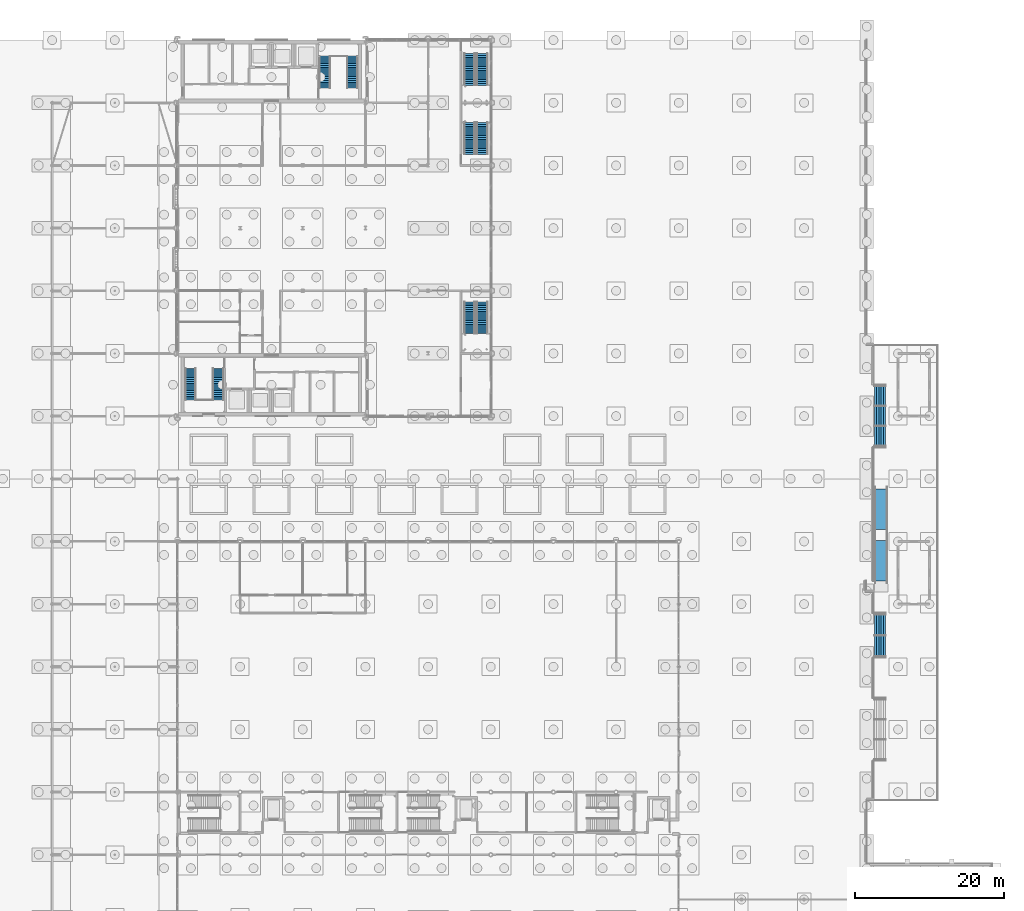
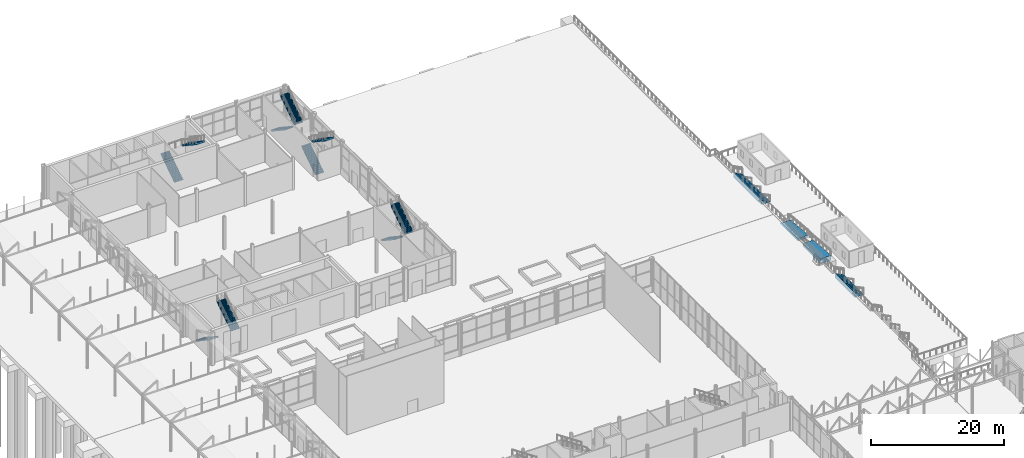
# One storey, part 193 of 212: 12 stair flights, 2 ramp flights, 8 elements without a shape of their own.
"""IFC4 building model written with IfcOpenShell, lengths in metres."""

from ifc_helpers import new_model, si_unit, direction, frame, origin, place, context, subcontext, project, spatial, polyline, outline, extrude, material, type_object, element, aggregate, save


model = new_model("IFC4")

# Units and contexts
model_context = context("Model", 3, precision=1e-05, world=origin(), true_north=direction((0.0, 1.0)))
body_context = subcontext(model_context, "Body", "Model", "MODEL_VIEW")
ifc_project = project(units=[si_unit("LENGTHUNIT", "METRE"), si_unit("AREAUNIT", "SQUARE_METRE"), si_unit("VOLUMEUNIT", "CUBIC_METRE"), si_unit("PLANEANGLEUNIT", "RADIAN"), si_unit("MASSUNIT", "GRAM", prefix="KILO")], contexts=[model_context])

# Site, building, storey
site_placement = place(None, origin())
site = spatial("IfcSite", under=ifc_project, at=site_placement, CompositionType="ELEMENT")
building_placement = place(site_placement, origin())
building = spatial("IfcBuilding", under=site, at=building_placement, Name="Catenary Quay Ferry Terminal", CompositionType="ELEMENT")
storey_placement = place(building_placement, origin())
storey = spatial("IfcBuildingStorey", under=building, at=storey_placement, Name="L00", CompositionType="ELEMENT", Elevation=0.0)

# Stair, stair flight
ifc_material_1 = material(Name="Concrete C35/45", Category="concrete")
stair_type_1 = type_object("IfcStairType", Name="RTS6000", PredefinedType="STRAIGHT_RUN_STAIR", material=ifc_material_1)
stair_1_placement = place(storey_placement, origin())
stair_1 = element("IfcStair", 1, at=stair_1_placement, inside=storey, type_object=stair_type_1, Name="River steps 3", PredefinedType="STRAIGHT_RUN_STAIR")
ifc_material_2 = material(Name="Concrete C35/45", Category="concrete")
stair_flight_type_1 = type_object("IfcStairFlightType", Name="RTF6000", PredefinedType="STRAIGHT", material=ifc_material_2)
stair_flight_1_placement = place(storey_placement, frame((120.1298828125, 130.199951171875, -0.89990234375), z_axis=(0.0, 0.0, 1.0), x_axis=(-1.0, 0.0, 0.0)))
stair_flight_1 = element("IfcStairFlight", 2, at=stair_flight_1_placement, type_object=stair_flight_type_1, Name="RS3 flight 1", NumberOfRisers=6, NumberOfTreads=5, PredefinedType="STRAIGHT", RiserHeight=0.15, TreadLength=0.3, context=body_context, shape_type="SweptSolid", body=[
    extrude(outline(polyline([(0.0, 0.0), (0.0, 0.021484375), (0.0, 0.04296875), (0.0, 0.064208984375), (0.0, 0.085693359375), (0.0, 0.107177734375), (0.0, 0.128662109375), (0.0, 0.14990234375), (0.300048828125, 0.14990234375), (0.300048828125, 0.300048828125), (0.60009765625, 0.300048828125), (0.60009765625, 0.449951171875), (0.89990234375, 0.449951171875), (0.89990234375, 0.60009765625), (1.199951171875, 0.60009765625), (1.199951171875, 0.75), (1.5, 0.75), (1.5, 0.89990234375), (1.510009765625, 0.89990234375), (1.510009765625, 0.771484375), (1.510009765625, 0.64306640625), (1.510009765625, 0.5146484375), (1.510009765625, 0.38623046875), (1.510009765625, 0.257568359375), (1.510009765625, 0.129150390625), (1.510009765625, 0.000732421875), (1.49853515625, 0.0), (0.0, 0.0)])), frame((0.0, 3.0, 0.0), z_axis=(0.0, -1.0, 0.0), x_axis=(1.0, 0.0, 0.0)), (0.0, 0.0, 1.0), 6.0),
])
aggregate(stair_1, [stair_flight_1])

ifc_material_3 = material(Name="Concrete C35/45", Category="concrete")
stair_type_2 = type_object("IfcStairType", Name="RTS8400", PredefinedType="STRAIGHT_RUN_STAIR", material=ifc_material_3)
stair_2_placement = place(storey_placement, origin())
stair_2 = element("IfcStair", 3, at=stair_2_placement, inside=storey, type_object=stair_type_2, Name="River steps 2", PredefinedType="STRAIGHT_RUN_STAIR")
ifc_material_4 = material(Name="Concrete C35/45", Category="concrete")
stair_flight_type_2 = type_object("IfcStairFlightType", Name="RTF8400", PredefinedType="STRAIGHT", material=ifc_material_4)
stair_flight_2_placement = place(storey_placement, frame((120.1298828125, 159.60009765625, -0.89990234375), z_axis=(0.0, 0.0, 1.0), x_axis=(-1.0, 0.0, 0.0)))
stair_flight_2 = element("IfcStairFlight", 4, at=stair_flight_2_placement, type_object=stair_flight_type_2, Name="RS2 flight 1", NumberOfRisers=6, NumberOfTreads=5, PredefinedType="STRAIGHT", RiserHeight=0.15, TreadLength=0.3, context=body_context, shape_type="SweptSolid", body=[
    extrude(outline(polyline([(0.0, 0.0), (0.0, 0.021484375), (0.0, 0.04296875), (0.0, 0.064208984375), (0.0, 0.085693359375), (0.0, 0.107177734375), (0.0, 0.128662109375), (0.0, 0.14990234375), (0.300048828125, 0.14990234375), (0.300048828125, 0.300048828125), (0.60009765625, 0.300048828125), (0.60009765625, 0.449951171875), (0.89990234375, 0.449951171875), (0.89990234375, 0.60009765625), (1.199951171875, 0.60009765625), (1.199951171875, 0.75), (1.5, 0.75), (1.5, 0.89990234375), (1.510009765625, 0.89990234375), (1.510009765625, 0.771484375), (1.510009765625, 0.64306640625), (1.510009765625, 0.5146484375), (1.510009765625, 0.38623046875), (1.510009765625, 0.257568359375), (1.510009765625, 0.129150390625), (1.510009765625, 0.000732421875), (1.49853515625, 0.0), (0.0, 0.0)])), frame((0.0, 4.199951171875, 0.0), z_axis=(0.0, -1.0, 0.0), x_axis=(1.0, 0.0, 0.0)), (0.0, 0.0, 1.0), 8.39990234375),
])
aggregate(stair_2, [stair_flight_2])

# Stair, stair flights
ifc_material_5 = material(Name="Concrete C35/45", Category="concrete")
stair_type_3 = type_object("IfcStairType", Name="STX1500", PredefinedType="HALF_TURN_STAIR", material=ifc_material_5)
stair_3_placement = place(storey_placement, origin())
stair_3 = element("IfcStair", 5, at=stair_3_placement, inside=storey, type_object=stair_type_3, Name="Stair HS1 L00 to L01", PredefinedType="HALF_TURN_STAIR")
ifc_material_6 = material(Name="Concrete C35/45", Category="concrete")
stair_flight_type_3 = type_object("IfcStairFlightType", Name="SFX1500", PredefinedType="STRAIGHT", material=ifc_material_6)
stair_flight_3_placement = place(storey_placement, frame((44.949951171875, 203.60009765625, 0.0), z_axis=(0.0, 0.0, 1.0), x_axis=(0.0, 1.0, 0.0)))
stair_flight_3 = element("IfcStairFlight", 6, at=stair_flight_3_placement, type_object=stair_flight_type_3, Name="HS1-L00 flight 1", NumberOfRisers=18, NumberOfTreads=17, PredefinedType="STRAIGHT", RiserHeight=0.166666667, TreadLength=0.25, context=body_context, shape_type="SweptSolid", body=[
    extrude(outline(polyline([(-0.010009765625, 0.0), (-0.010009765625, 0.02392578125), (-0.010009765625, 0.047607421875), (-0.010009765625, 0.071533203125), (-0.010009765625, 0.09521484375), (-0.010009765625, 0.119140625), (-0.010009765625, 0.142822265625), (-0.010009765625, 0.166748046875), (0.0, 0.166748046875), (0.25, 0.166748046875), (0.25, 0.333251953125), (0.5, 0.333251953125), (0.5, 0.5), (0.75, 0.5), (0.75, 0.666748046875), (1.0, 0.666748046875), (1.0, 0.833251953125), (1.25, 0.833251953125), (1.25, 1.0), (1.5, 1.0), (1.5, 1.166748046875), (1.75, 1.166748046875), (1.75, 1.333251953125), (2.0, 1.333251953125), (2.0, 1.5), (2.25, 1.5), (2.25, 1.666748046875), (2.5, 1.666748046875), (2.5, 1.833251953125), (2.75, 1.833251953125), (2.75, 2.0), (3.0, 2.0), (3.0, 2.166748046875), (3.25, 2.166748046875), (3.25, 2.333251953125), (3.5, 2.333251953125), (3.5, 2.5), (3.75, 2.5), (3.75, 2.666748046875), (4.0, 2.666748046875), (4.0, 2.833251953125), (4.25, 2.833251953125), (4.25, 3.0), (4.25, 2.950439453125), (4.25, 2.90087890625), (4.25, 2.851318359375), (4.25, 2.8017578125), (4.25, 2.752197265625), (4.25, 2.70263671875), (4.25, 2.653076171875), (0.270263671875, 0.0), (-0.010009765625, 0.0)])), frame((0.0, 0.75, 0.0), z_axis=(0.0, -1.0, 0.0), x_axis=(1.0, 0.0, 0.0)), (0.0, 0.0, 1.0), 1.5),
])
stair_flight_4_placement = place(storey_placement, frame((48.64990234375, 207.85009765625, 3.0), z_axis=(0.0, 0.0, 1.0), x_axis=(0.0, -1.0, 0.0)))
stair_flight_4 = element("IfcStairFlight", 7, at=stair_flight_4_placement, type_object=stair_flight_type_3, Name="HS1-L00 flight 2", NumberOfRisers=18, NumberOfTreads=17, PredefinedType="STRAIGHT", RiserHeight=0.166666667, TreadLength=0.25, context=body_context, shape_type="SweptSolid", body=[
    extrude(outline(polyline([(0.0, 0.0), (0.0, 0.02392578125), (0.0, 0.047607421875), (0.0, 0.071533203125), (0.0, 0.09521484375), (0.0, 0.119140625), (0.0, 0.142822265625), (0.0, 0.166748046875), (0.25, 0.166748046875), (0.25, 0.333251953125), (0.5, 0.333251953125), (0.5, 0.5), (0.75, 0.5), (0.75, 0.666748046875), (1.0, 0.666748046875), (1.0, 0.833251953125), (1.25, 0.833251953125), (1.25, 1.0), (1.5, 1.0), (1.5, 1.166748046875), (1.75, 1.166748046875), (1.75, 1.333251953125), (2.0, 1.333251953125), (2.0, 1.5), (2.25, 1.5), (2.25, 1.666748046875), (2.5, 1.666748046875), (2.5, 1.833251953125), (2.75, 1.833251953125), (2.75, 2.0), (3.0, 2.0), (3.0, 2.166748046875), (3.25, 2.166748046875), (3.25, 2.333251953125), (3.5, 2.333251953125), (3.5, 2.5), (3.75, 2.5), (3.75, 2.666748046875), (4.0, 2.666748046875), (4.0, 2.833251953125), (4.25, 2.833251953125), (4.25, 3.0), (4.260009765625, 3.0), (4.260009765625, 2.950439453125), (4.260009765625, 2.90087890625), (4.260009765625, 2.851318359375), (4.260009765625, 2.8017578125), (4.260009765625, 2.752197265625), (4.260009765625, 2.70263671875), (4.260009765625, 2.653076171875), (0.270263671875, 0.0), (0.0, 0.0)])), frame((0.0, 0.75, 0.0), z_axis=(0.0, -1.0, 0.0), x_axis=(1.0, 0.0, 0.0)), (0.0, 0.0, 1.0), 1.5),
])
aggregate(stair_3, [stair_flight_3, stair_flight_4])

stair_4_placement = place(storey_placement, origin())
stair_4 = element("IfcStair", 8, at=stair_4_placement, inside=storey, type_object=stair_type_3, Name="Stair HS2 L00 to L01", PredefinedType="HALF_TURN_STAIR")
stair_flight_5_placement = place(storey_placement, frame((26.949951171875, 166.0, 0.0), z_axis=(0.0, 0.0, 1.0), x_axis=(0.0, -1.0, 0.0)))
stair_flight_5 = element("IfcStairFlight", 9, at=stair_flight_5_placement, type_object=stair_flight_type_3, Name="HS2-L00 flight 1", NumberOfRisers=18, NumberOfTreads=17, PredefinedType="STRAIGHT", RiserHeight=0.166666667, TreadLength=0.25, context=body_context, shape_type="SweptSolid", body=[
    extrude(outline(polyline([(-0.010009765625, 0.0), (-0.010009765625, 0.02392578125), (-0.010009765625, 0.047607421875), (-0.010009765625, 0.071533203125), (-0.010009765625, 0.09521484375), (-0.010009765625, 0.119140625), (-0.010009765625, 0.142822265625), (-0.010009765625, 0.166748046875), (0.0, 0.166748046875), (0.25, 0.166748046875), (0.25, 0.333251953125), (0.5, 0.333251953125), (0.5, 0.5), (0.75, 0.5), (0.75, 0.666748046875), (1.0, 0.666748046875), (1.0, 0.833251953125), (1.25, 0.833251953125), (1.25, 1.0), (1.5, 1.0), (1.5, 1.166748046875), (1.75, 1.166748046875), (1.75, 1.333251953125), (2.0, 1.333251953125), (2.0, 1.5), (2.25, 1.5), (2.25, 1.666748046875), (2.5, 1.666748046875), (2.5, 1.833251953125), (2.75, 1.833251953125), (2.75, 2.0), (3.0, 2.0), (3.0, 2.166748046875), (3.25, 2.166748046875), (3.25, 2.333251953125), (3.5, 2.333251953125), (3.5, 2.5), (3.75, 2.5), (3.75, 2.666748046875), (4.0, 2.666748046875), (4.0, 2.833251953125), (4.25, 2.833251953125), (4.25, 3.0), (4.25, 2.950439453125), (4.25, 2.90087890625), (4.25, 2.851318359375), (4.25, 2.8017578125), (4.25, 2.752197265625), (4.25, 2.70263671875), (4.25, 2.653076171875), (0.270263671875, 0.0), (-0.010009765625, 0.0)])), frame((0.0, 0.75, 0.0), z_axis=(0.0, -1.0, 0.0), x_axis=(1.0, 0.0, 0.0)), (0.0, 0.0, 1.0), 1.5),
])
stair_flight_6_placement = place(storey_placement, frame((30.64990234375, 161.75, 3.0), z_axis=(0.0, 0.0, 1.0), x_axis=(0.0, 1.0, 0.0)))
stair_flight_6 = element("IfcStairFlight", 10, at=stair_flight_6_placement, type_object=stair_flight_type_3, Name="HS2-L00 flight 2", NumberOfRisers=18, NumberOfTreads=17, PredefinedType="STRAIGHT", RiserHeight=0.166666667, TreadLength=0.25, context=body_context, shape_type="SweptSolid", body=[
    extrude(outline(polyline([(0.0, 0.0), (0.0, 0.02392578125), (0.0, 0.047607421875), (0.0, 0.071533203125), (0.0, 0.09521484375), (0.0, 0.119140625), (0.0, 0.142822265625), (0.0, 0.166748046875), (0.25, 0.166748046875), (0.25, 0.333251953125), (0.5, 0.333251953125), (0.5, 0.5), (0.75, 0.5), (0.75, 0.666748046875), (1.0, 0.666748046875), (1.0, 0.833251953125), (1.25, 0.833251953125), (1.25, 1.0), (1.5, 1.0), (1.5, 1.166748046875), (1.75, 1.166748046875), (1.75, 1.333251953125), (2.0, 1.333251953125), (2.0, 1.5), (2.25, 1.5), (2.25, 1.666748046875), (2.5, 1.666748046875), (2.5, 1.833251953125), (2.75, 1.833251953125), (2.75, 2.0), (3.0, 2.0), (3.0, 2.166748046875), (3.25, 2.166748046875), (3.25, 2.333251953125), (3.5, 2.333251953125), (3.5, 2.5), (3.75, 2.5), (3.75, 2.666748046875), (4.0, 2.666748046875), (4.0, 2.833251953125), (4.25, 2.833251953125), (4.25, 3.0), (4.260009765625, 3.0), (4.260009765625, 2.950439453125), (4.260009765625, 2.90087890625), (4.260009765625, 2.851318359375), (4.260009765625, 2.8017578125), (4.260009765625, 2.752197265625), (4.260009765625, 2.70263671875), (4.260009765625, 2.653076171875), (0.270263671875, 0.0), (0.0, 0.0)])), frame((0.0, 0.75, 0.0), z_axis=(0.0, -1.0, 0.0), x_axis=(1.0, 0.0, 0.0)), (0.0, 0.0, 1.0), 1.5),
])
aggregate(stair_4, [stair_flight_5, stair_flight_6])

stair_5_placement = place(storey_placement, origin())
stair_5 = element("IfcStair", 11, at=stair_5_placement, inside=storey, type_object=stair_type_3, Name="Stair HS3 L00 to L01", PredefinedType="HALF_TURN_STAIR")
stair_flight_7_placement = place(storey_placement, frame((64.35009765625, 174.89990234375, 0.0), z_axis=(0.0, 0.0, 1.0), x_axis=(0.0, -1.0, 0.0)))
stair_flight_7 = element("IfcStairFlight", 12, at=stair_flight_7_placement, type_object=stair_flight_type_3, Name="HS3-L00 flight 1", NumberOfRisers=18, NumberOfTreads=17, PredefinedType="STRAIGHT", RiserHeight=0.166666667, TreadLength=0.25, context=body_context, shape_type="SweptSolid", body=[
    extrude(outline(polyline([(-0.010009765625, 0.0), (-0.010009765625, 0.02392578125), (-0.010009765625, 0.047607421875), (-0.010009765625, 0.071533203125), (-0.010009765625, 0.09521484375), (-0.010009765625, 0.119140625), (-0.010009765625, 0.142822265625), (-0.010009765625, 0.166748046875), (0.0, 0.166748046875), (0.25, 0.166748046875), (0.25, 0.333251953125), (0.5, 0.333251953125), (0.5, 0.5), (0.75, 0.5), (0.75, 0.666748046875), (1.0, 0.666748046875), (1.0, 0.833251953125), (1.25, 0.833251953125), (1.25, 1.0), (1.5, 1.0), (1.5, 1.166748046875), (1.75, 1.166748046875), (1.75, 1.333251953125), (2.0, 1.333251953125), (2.0, 1.5), (2.25, 1.5), (2.25, 1.666748046875), (2.5, 1.666748046875), (2.5, 1.833251953125), (2.75, 1.833251953125), (2.75, 2.0), (3.0, 2.0), (3.0, 2.166748046875), (3.25, 2.166748046875), (3.25, 2.333251953125), (3.5, 2.333251953125), (3.5, 2.5), (3.75, 2.5), (3.75, 2.666748046875), (4.0, 2.666748046875), (4.0, 2.833251953125), (4.25, 2.833251953125), (4.25, 3.0), (4.25, 2.950439453125), (4.25, 2.90087890625), (4.25, 2.851318359375), (4.25, 2.8017578125), (4.25, 2.752197265625), (4.25, 2.70263671875), (4.25, 2.653076171875), (0.270263671875, 0.0), (-0.010009765625, 0.0)])), frame((0.0, 0.75, 0.0), z_axis=(0.0, -1.0, 0.0), x_axis=(1.0, 0.0, 0.0)), (0.0, 0.0, 1.0), 1.5),
])
stair_flight_8_placement = place(storey_placement, frame((66.050048828125, 170.64990234375, 3.0), z_axis=(0.0, 0.0, 1.0), x_axis=(0.0, 1.0, 0.0)))
stair_flight_8 = element("IfcStairFlight", 13, at=stair_flight_8_placement, type_object=stair_flight_type_3, Name="HS3-L00 flight 2", NumberOfRisers=18, NumberOfTreads=17, PredefinedType="STRAIGHT", RiserHeight=0.166666667, TreadLength=0.25, context=body_context, shape_type="SweptSolid", body=[
    extrude(outline(polyline([(0.0, 0.0), (0.0, 0.02392578125), (0.0, 0.047607421875), (0.0, 0.071533203125), (0.0, 0.09521484375), (0.0, 0.119140625), (0.0, 0.142822265625), (0.0, 0.166748046875), (0.25, 0.166748046875), (0.25, 0.333251953125), (0.5, 0.333251953125), (0.5, 0.5), (0.75, 0.5), (0.75, 0.666748046875), (1.0, 0.666748046875), (1.0, 0.833251953125), (1.25, 0.833251953125), (1.25, 1.0), (1.5, 1.0), (1.5, 1.166748046875), (1.75, 1.166748046875), (1.75, 1.333251953125), (2.0, 1.333251953125), (2.0, 1.5), (2.25, 1.5), (2.25, 1.666748046875), (2.5, 1.666748046875), (2.5, 1.833251953125), (2.75, 1.833251953125), (2.75, 2.0), (3.0, 2.0), (3.0, 2.166748046875), (3.25, 2.166748046875), (3.25, 2.333251953125), (3.5, 2.333251953125), (3.5, 2.5), (3.75, 2.5), (3.75, 2.666748046875), (4.0, 2.666748046875), (4.0, 2.833251953125), (4.25, 2.833251953125), (4.25, 3.0), (4.260009765625, 3.0), (4.260009765625, 2.950439453125), (4.260009765625, 2.90087890625), (4.260009765625, 2.851318359375), (4.260009765625, 2.8017578125), (4.260009765625, 2.752197265625), (4.260009765625, 2.70263671875), (4.260009765625, 2.653076171875), (0.270263671875, 0.0), (0.0, 0.0)])), frame((0.0, 0.75, 0.0), z_axis=(0.0, -1.0, 0.0), x_axis=(1.0, 0.0, 0.0)), (0.0, 0.0, 1.0), 1.5),
])
aggregate(stair_5, [stair_flight_7, stair_flight_8])

stair_6_placement = place(storey_placement, origin())
stair_6 = element("IfcStair", 14, at=stair_6_placement, inside=storey, type_object=stair_type_3, Name="Stair HS4 L00 to L01", PredefinedType="HALF_TURN_STAIR")
stair_flight_9_placement = place(storey_placement, frame((64.35009765625, 194.699951171875, 0.0), z_axis=(0.0, 0.0, 1.0), x_axis=(0.0, 1.0, 0.0)))
stair_flight_9 = element("IfcStairFlight", 15, at=stair_flight_9_placement, type_object=stair_flight_type_3, Name="HS4-L00 flight 1", NumberOfRisers=18, NumberOfTreads=17, PredefinedType="STRAIGHT", RiserHeight=0.166666667, TreadLength=0.25, context=body_context, shape_type="SweptSolid", body=[
    extrude(outline(polyline([(-0.010009765625, 0.0), (-0.010009765625, 0.02392578125), (-0.010009765625, 0.047607421875), (-0.010009765625, 0.071533203125), (-0.010009765625, 0.09521484375), (-0.010009765625, 0.119140625), (-0.010009765625, 0.142822265625), (-0.010009765625, 0.166748046875), (0.0, 0.166748046875), (0.25, 0.166748046875), (0.25, 0.333251953125), (0.5, 0.333251953125), (0.5, 0.5), (0.75, 0.5), (0.75, 0.666748046875), (1.0, 0.666748046875), (1.0, 0.833251953125), (1.25, 0.833251953125), (1.25, 1.0), (1.5, 1.0), (1.5, 1.166748046875), (1.75, 1.166748046875), (1.75, 1.333251953125), (2.0, 1.333251953125), (2.0, 1.5), (2.25, 1.5), (2.25, 1.666748046875), (2.5, 1.666748046875), (2.5, 1.833251953125), (2.75, 1.833251953125), (2.75, 2.0), (3.0, 2.0), (3.0, 2.166748046875), (3.25, 2.166748046875), (3.25, 2.333251953125), (3.5, 2.333251953125), (3.5, 2.5), (3.75, 2.5), (3.75, 2.666748046875), (4.0, 2.666748046875), (4.0, 2.833251953125), (4.25, 2.833251953125), (4.25, 3.0), (4.25, 2.950439453125), (4.25, 2.90087890625), (4.25, 2.851318359375), (4.25, 2.8017578125), (4.25, 2.752197265625), (4.25, 2.70263671875), (4.25, 2.653076171875), (0.270263671875, 0.0), (-0.010009765625, 0.0)])), frame((0.0, 0.75, 0.0), z_axis=(0.0, -1.0, 0.0), x_axis=(1.0, 0.0, 0.0)), (0.0, 0.0, 1.0), 1.5),
])
stair_flight_10_placement = place(storey_placement, frame((66.050048828125, 198.949951171875, 3.0), z_axis=(0.0, 0.0, 1.0), x_axis=(0.0, -1.0, 0.0)))
stair_flight_10 = element("IfcStairFlight", 16, at=stair_flight_10_placement, type_object=stair_flight_type_3, Name="HS4-L00 flight 2", NumberOfRisers=18, NumberOfTreads=17, PredefinedType="STRAIGHT", RiserHeight=0.166666667, TreadLength=0.25, context=body_context, shape_type="SweptSolid", body=[
    extrude(outline(polyline([(0.0, 0.0), (0.0, 0.02392578125), (0.0, 0.047607421875), (0.0, 0.071533203125), (0.0, 0.09521484375), (0.0, 0.119140625), (0.0, 0.142822265625), (0.0, 0.166748046875), (0.25, 0.166748046875), (0.25, 0.333251953125), (0.5, 0.333251953125), (0.5, 0.5), (0.75, 0.5), (0.75, 0.666748046875), (1.0, 0.666748046875), (1.0, 0.833251953125), (1.25, 0.833251953125), (1.25, 1.0), (1.5, 1.0), (1.5, 1.166748046875), (1.75, 1.166748046875), (1.75, 1.333251953125), (2.0, 1.333251953125), (2.0, 1.5), (2.25, 1.5), (2.25, 1.666748046875), (2.5, 1.666748046875), (2.5, 1.833251953125), (2.75, 1.833251953125), (2.75, 2.0), (3.0, 2.0), (3.0, 2.166748046875), (3.25, 2.166748046875), (3.25, 2.333251953125), (3.5, 2.333251953125), (3.5, 2.5), (3.75, 2.5), (3.75, 2.666748046875), (4.0, 2.666748046875), (4.0, 2.833251953125), (4.25, 2.833251953125), (4.25, 3.0), (4.260009765625, 3.0), (4.260009765625, 2.950439453125), (4.260009765625, 2.90087890625), (4.260009765625, 2.851318359375), (4.260009765625, 2.8017578125), (4.260009765625, 2.752197265625), (4.260009765625, 2.70263671875), (4.260009765625, 2.653076171875), (0.270263671875, 0.0), (0.0, 0.0)])), frame((0.0, 0.75, 0.0), z_axis=(0.0, -1.0, 0.0), x_axis=(1.0, 0.0, 0.0)), (0.0, 0.0, 1.0), 1.5),
])
aggregate(stair_6, [stair_flight_9, stair_flight_10])

stair_7_placement = place(storey_placement, origin())
stair_7 = element("IfcStair", 17, at=stair_7_placement, inside=storey, type_object=stair_type_3, Name="Stair HS5 L00 to L01", PredefinedType="HALF_TURN_STAIR")
stair_flight_11_placement = place(storey_placement, frame((64.35009765625, 208.199951171875, 0.0), z_axis=(0.0, 0.0, 1.0), x_axis=(0.0, -1.0, 0.0)))
stair_flight_11 = element("IfcStairFlight", 18, at=stair_flight_11_placement, type_object=stair_flight_type_3, Name="HS5-L00 flight 1", NumberOfRisers=18, NumberOfTreads=17, PredefinedType="STRAIGHT", RiserHeight=0.166666667, TreadLength=0.25, context=body_context, shape_type="SweptSolid", body=[
    extrude(outline(polyline([(-0.010009765625, 0.0), (-0.010009765625, 0.02392578125), (-0.010009765625, 0.047607421875), (-0.010009765625, 0.071533203125), (-0.010009765625, 0.09521484375), (-0.010009765625, 0.119140625), (-0.010009765625, 0.142822265625), (-0.010009765625, 0.166748046875), (0.0, 0.166748046875), (0.25, 0.166748046875), (0.25, 0.333251953125), (0.5, 0.333251953125), (0.5, 0.5), (0.75, 0.5), (0.75, 0.666748046875), (1.0, 0.666748046875), (1.0, 0.833251953125), (1.25, 0.833251953125), (1.25, 1.0), (1.5, 1.0), (1.5, 1.166748046875), (1.75, 1.166748046875), (1.75, 1.333251953125), (2.0, 1.333251953125), (2.0, 1.5), (2.25, 1.5), (2.25, 1.666748046875), (2.5, 1.666748046875), (2.5, 1.833251953125), (2.75, 1.833251953125), (2.75, 2.0), (3.0, 2.0), (3.0, 2.166748046875), (3.25, 2.166748046875), (3.25, 2.333251953125), (3.5, 2.333251953125), (3.5, 2.5), (3.75, 2.5), (3.75, 2.666748046875), (4.0, 2.666748046875), (4.0, 2.833251953125), (4.25, 2.833251953125), (4.25, 3.0), (4.25, 2.950439453125), (4.25, 2.90087890625), (4.25, 2.851318359375), (4.25, 2.8017578125), (4.25, 2.752197265625), (4.25, 2.70263671875), (4.25, 2.653076171875), (0.270263671875, 0.0), (-0.010009765625, 0.0)])), frame((0.0, 0.75, 0.0), z_axis=(0.0, -1.0, 0.0), x_axis=(1.0, 0.0, 0.0)), (0.0, 0.0, 1.0), 1.5),
])
stair_flight_12_placement = place(storey_placement, frame((66.050048828125, 203.949951171875, 3.0), z_axis=(0.0, 0.0, 1.0), x_axis=(0.0, 1.0, 0.0)))
stair_flight_12 = element("IfcStairFlight", 19, at=stair_flight_12_placement, type_object=stair_flight_type_3, Name="HS5-L00 flight 2", NumberOfRisers=18, NumberOfTreads=17, PredefinedType="STRAIGHT", RiserHeight=0.166666667, TreadLength=0.25, context=body_context, shape_type="SweptSolid", body=[
    extrude(outline(polyline([(0.0, 0.0), (0.0, 0.02392578125), (0.0, 0.047607421875), (0.0, 0.071533203125), (0.0, 0.09521484375), (0.0, 0.119140625), (0.0, 0.142822265625), (0.0, 0.166748046875), (0.25, 0.166748046875), (0.25, 0.333251953125), (0.5, 0.333251953125), (0.5, 0.5), (0.75, 0.5), (0.75, 0.666748046875), (1.0, 0.666748046875), (1.0, 0.833251953125), (1.25, 0.833251953125), (1.25, 1.0), (1.5, 1.0), (1.5, 1.166748046875), (1.75, 1.166748046875), (1.75, 1.333251953125), (2.0, 1.333251953125), (2.0, 1.5), (2.25, 1.5), (2.25, 1.666748046875), (2.5, 1.666748046875), (2.5, 1.833251953125), (2.75, 1.833251953125), (2.75, 2.0), (3.0, 2.0), (3.0, 2.166748046875), (3.25, 2.166748046875), (3.25, 2.333251953125), (3.5, 2.333251953125), (3.5, 2.5), (3.75, 2.5), (3.75, 2.666748046875), (4.0, 2.666748046875), (4.0, 2.833251953125), (4.25, 2.833251953125), (4.25, 3.0), (4.260009765625, 3.0), (4.260009765625, 2.950439453125), (4.260009765625, 2.90087890625), (4.260009765625, 2.851318359375), (4.260009765625, 2.8017578125), (4.260009765625, 2.752197265625), (4.260009765625, 2.70263671875), (4.260009765625, 2.653076171875), (0.270263671875, 0.0), (0.0, 0.0)])), frame((0.0, 0.75, 0.0), z_axis=(0.0, -1.0, 0.0), x_axis=(1.0, 0.0, 0.0)), (0.0, 0.0, 1.0), 1.5),
])
aggregate(stair_7, [stair_flight_11, stair_flight_12])

# Ramp, ramp flights
ifc_material_7 = material(Name="Concrete C35/45", Category="concrete")
ramp_type = type_object("IfcRampType", Name="RTR1800", PredefinedType="TWO_STRAIGHT_RUN_RAMP", material=ifc_material_7)
ramp_placement = place(storey_placement, origin())
ramp = element("IfcRamp", 20, at=ramp_placement, inside=storey, type_object=ramp_type, Name="River ramp RR1", PredefinedType="TWO_STRAIGHT_RUN_RAMP")
ifc_material_8 = material(Name="Concrete C35/45", Category="concrete")
ramp_flight_type = type_object("IfcRampFlightType", Name="RTRF1800", PredefinedType="STRAIGHT", material=ifc_material_8)
ramp_flight_1_placement = place(storey_placement, frame((119.52001953125, 137.5, -0.89990234375), z_axis=(0.0, 0.0, 1.0), x_axis=(0.0, 1.0, 0.0)))
ramp_flight_1 = element("IfcRampFlight", 21, at=ramp_flight_1_placement, type_object=ramp_flight_type, Name="River ramp RR1 run 1", PredefinedType="STRAIGHT", context=body_context, shape_type="SweptSolid", body=[
    extrude(outline(polyline([(0.0, 0.0), (5.39990234375, 0.0), (5.39990234375, 0.449951171875), (0.0, 0.89990234375), (0.0, 0.0)])), frame((0.0, 0.89990234375, 0.0), z_axis=(0.0, -1.0, 0.0), x_axis=(1.0, 0.0, 0.0)), (0.0, 0.0, 1.0), 1.800048828125),
])
ramp_flight_2_placement = place(storey_placement, frame((119.52001953125, 144.39990234375, -0.89990234375), z_axis=(0.0, 0.0, 1.0), x_axis=(0.0, 1.0, 0.0)))
ramp_flight_2 = element("IfcRampFlight", 22, at=ramp_flight_2_placement, type_object=ramp_flight_type, Name="River ramp RR1 run 2", PredefinedType="STRAIGHT", context=body_context, shape_type="SweptSolid", body=[
    extrude(outline(polyline([(0.0, 0.0), (2.699951171875, 0.0), (5.39990234375, 0.0), (0.0, 0.449951171875), (0.0, 0.0)])), frame((0.0, 0.89990234375, 0.0), z_axis=(0.0, -1.0, 0.0), x_axis=(1.0, 0.0, 0.0)), (0.0, 0.0, 1.0), 1.800048828125),
])
aggregate(ramp, [ramp_flight_1, ramp_flight_2])

save(model, "model.ifc")
